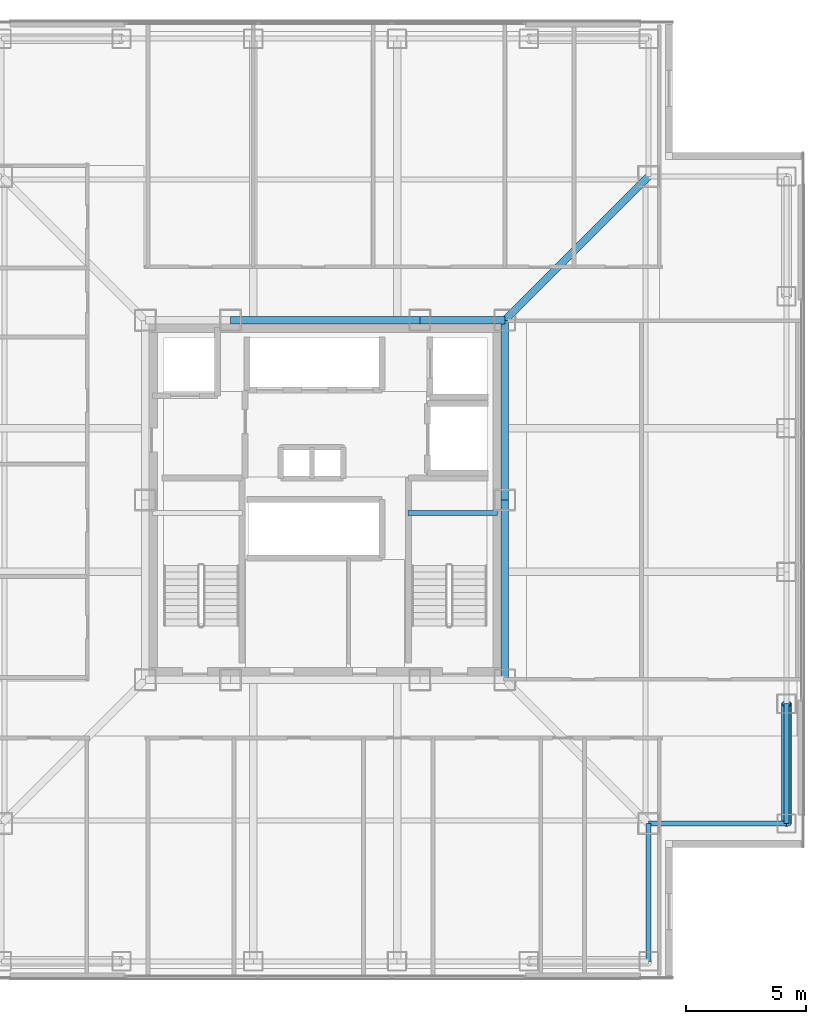
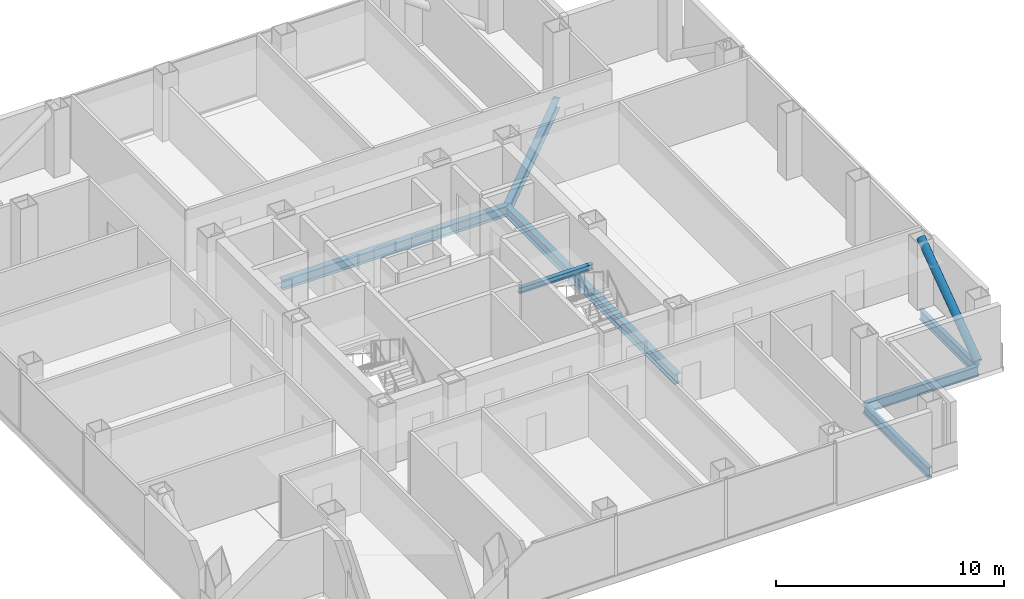
# One storey, part 5 of 17: 9 beams, 1 member.
"""IFC4 building model written with IfcOpenShell, lengths in metres."""

import ifcopenshell
import ifcopenshell.guid

model = None  # the IFC model being written
_history = None  # IfcOwnerHistory: only IFC2X3 demands one
_inside = {}  # id of a spatial element -> (the spatial element, [elements in it])
_under = {}  # id of a project, library or spatial element -> (it, [spatial elements below it])
_declared = {}  # id of a project -> (the project, [libraries it declares])
_typed = {}  # id of a type object -> (the type object, [elements of that type])
_made_of = {}  # id of a material, layer set ... -> (it, [elements and type objects made of it])


def new_model(schema):
    """Start an empty IFC model of exactly this schema.

    Asked for "IFC4X3", IfcOpenShell would pick the latest addendum, in which some entities
    have other attributes; the version numbers below select the first issue.
    IFC2X3 requires an IfcOwnerHistory on every rooted entity: one is made here for all.
    """
    global model, _history
    if schema == "IFC4X3":
        model = ifcopenshell.file(schema_version=(4, 3, 0, 0))
    else:
        model = ifcopenshell.file(schema=schema)
    _inside.clear()
    _under.clear()
    _declared.clear()
    _typed.clear()
    _made_of.clear()
    _history = None
    if model.schema == "IFC2X3":
        org = make("IfcOrganization", Name="unknown")
        user = make(
            "IfcPersonAndOrganization",
            ThePerson=make("IfcPerson", FamilyName="unknown"),
            TheOrganization=org,
        )
        app = make(
            "IfcApplication",
            ApplicationDeveloper=org,
            Version="unknown",
            ApplicationFullName="unknown",
            ApplicationIdentifier="unknown",
        )
        _history = make(
            "IfcOwnerHistory",
            OwningUser=user,
            OwningApplication=app,
            ChangeAction="ADDED",
            CreationDate=0,
        )
    return model


def make(cls, **values):
    """One entity of the class cls with the attributes given. An attribute that is None is left unset."""
    return model.create_entity(
        cls, **{name: value for name, value in values.items() if value is not None}
    )


def rooted(cls, **values):
    """An entity with a GlobalId (a new one), such as an element, a storey or a relation."""
    return make(cls, GlobalId=ifcopenshell.guid.new(), OwnerHistory=_history, **values)


def si_unit(unit_type, name, prefix=None):
    """IfcSIUnit, for example si_unit("LENGTHUNIT", "METRE", prefix="MILLI")."""
    return make("IfcSIUnit", UnitType=unit_type, Prefix=prefix, Name=name)


def assignment(units):
    """IfcUnitAssignment: the units of a project."""
    return None if units is None else make("IfcUnitAssignment", Units=units)


def point(xyz):
    """IfcCartesianPoint."""
    return None if xyz is None else make("IfcCartesianPoint", Coordinates=xyz)


def direction(xyz):
    """IfcDirection."""
    return None if xyz is None else make("IfcDirection", DirectionRatios=xyz)


def frame(location, z_axis=None, x_axis=None):
    """IfcAxis2Placement3D, a coordinate frame: its origin and axes. An axis left out is left unset."""
    return make(
        "IfcAxis2Placement3D",
        Location=point(location),
        Axis=direction(z_axis),
        RefDirection=direction(x_axis),
    )


def frame_2d(location, x_axis=None):
    """IfcAxis2Placement2D, a coordinate frame in the plane: its origin and x axis."""
    return make(
        "IfcAxis2Placement2D", Location=point(location), RefDirection=direction(x_axis)
    )


def origin():
    """The frame at (0, 0, 0) with its axes left unset."""
    return frame((0.0, 0.0, 0.0))


def origin_2d():
    """The frame at (0, 0) in the plane with its x axis left unset."""
    return frame_2d((0.0, 0.0))


def place(relative_to, where):
    """IfcLocalPlacement: puts the frame where relative to a parent placement (None: the world)."""
    return make(
        "IfcLocalPlacement", PlacementRelTo=relative_to, RelativePlacement=where
    )


def context(
    kind, dimensions, precision=None, world=None, true_north=None, identifier=None
):
    """IfcGeometricRepresentationContext, for example the 3D "Model" context."""
    return make(
        "IfcGeometricRepresentationContext",
        ContextIdentifier=identifier,
        ContextType=kind,
        CoordinateSpaceDimension=dimensions,
        Precision=precision,
        WorldCoordinateSystem=world,
        TrueNorth=true_north,
    )


def subcontext(parent, identifier, kind, view, scale=None):
    """IfcGeometricRepresentationSubContext, for example "Body" below "Model"."""
    return make(
        "IfcGeometricRepresentationSubContext",
        ContextIdentifier=identifier,
        ContextType=kind,
        ParentContext=parent,
        TargetScale=scale,
        TargetView=view,
    )


def project(units=None, contexts=None):
    """IfcProject with its units and contexts."""
    return rooted(
        "IfcProject",
        Name="project",
        RepresentationContexts=contexts,
        UnitsInContext=assignment(units),
    )


def spatial(cls, under=None, at=None, **own):
    """A site, building, storey or space (cls), placed at a placement, below another one or the project."""
    s = rooted(cls, ObjectPlacement=at, **own)
    if under is not None:
        _under.setdefault(under.id(), (under, []))[1].append(s)
    return s


def profile(cls, at=None, kind="AREA", **sizes):
    """A parametric profile (cls). Its sizes go by their IFC names, for example OverallWidth=200.0."""
    return make(cls, ProfileType=kind, Position=at, **sizes)


def hollow_circle(**sizes):
    """IfcCircleHollowProfileDef."""
    return profile("IfcCircleHollowProfileDef", **sizes)


def i_section(**sizes):
    """IfcIShapeProfileDef."""
    return profile("IfcIShapeProfileDef", **sizes)


def extrude(swept, where, along, depth):
    """IfcExtrudedAreaSolid: the profile swept, set in the frame where, extruded along a direction by depth."""
    return make(
        "IfcExtrudedAreaSolid",
        SweptArea=swept,
        Position=where,
        ExtrudedDirection=direction(along),
        Depth=depth,
    )


def shape(context_of_items, identifier, shape_type, items):
    """IfcShapeRepresentation: the items that make up one representation, for example the "Body"."""
    return make(
        "IfcShapeRepresentation",
        ContextOfItems=context_of_items,
        RepresentationIdentifier=identifier,
        RepresentationType=shape_type,
        Items=items,
    )


def material(Name=None, Category=None):
    """IfcMaterial."""
    return make("IfcMaterial", Name=Name, Category=Category)


def material_profile(
    of_material, cross_section, Name=None, Category=None, Priority=None
):
    """IfcMaterialProfile: a cross section and its material."""
    return make(
        "IfcMaterialProfile",
        Name=Name,
        Material=of_material,
        Profile=cross_section,
        Priority=Priority,
        Category=Category,
    )


def profile_set(profiles, Name=None, composite=None):
    """IfcMaterialProfileSet."""
    return make(
        "IfcMaterialProfileSet",
        Name=Name,
        MaterialProfiles=profiles,
        CompositeProfile=composite,
    )


def made_of(thing, what):
    """Note that an element or type object is made of a material, layer set ...; save() writes the relation."""
    if what is not None:
        _made_of.setdefault(what.id(), (what, []))[1].append(thing)
    return thing


def type_object(cls, material=None, **own):
    """A type object (cls), such as IfcWallType, which elements share."""
    return made_of(rooted(cls, **own), material)


def element(
    cls,
    number,
    at=None,
    inside=None,
    cuts=None,
    type_object=None,
    material=None,
    context=None,
    identifier="Body",
    shape_type=None,
    held_by="IfcProductDefinitionShape",
    body=None,
    shapes=None,
    **own,
):
    """One element of the class cls, such as IfcWall. Its Tag is "e" and its number.

    at: its placement. inside: the storey or other place that contains it. cuts: it is an
    opening in that element (IfcRelVoidsElement). A single representation is given by context,
    identifier, shape_type and body (its items); several are given by shapes. held_by: the class
    of the entity that holds the representations. save() writes the other relations.
    """
    e = rooted(cls, Tag="e%d" % number, ObjectPlacement=at, **own)
    if body is not None:
        shapes = [shape(context, identifier, shape_type, body)]
    if shapes is not None:
        e.Representation = make(held_by, Representations=shapes)
    if inside is not None:
        _inside.setdefault(inside.id(), (inside, []))[1].append(e)
    if cuts is not None:
        rooted(
            "IfcRelVoidsElement", RelatingBuildingElement=cuts, RelatedOpeningElement=e
        )
    if type_object is not None:
        _typed.setdefault(type_object.id(), (type_object, []))[1].append(e)
    return made_of(e, material)


def aggregate(whole, parts):
    """IfcRelAggregates: a whole, such as a stair, and the parts it consists of."""
    return rooted("IfcRelAggregates", RelatingObject=whole, RelatedObjects=parts)


def save(model, path):
    """Write the relations noted so far, then the file.

    IfcRelAggregates (storeys below a building ...), IfcRelContainedInSpatialStructure (elements
    in a storey), IfcRelDefinesByType, IfcRelAssociatesMaterial and IfcRelDeclares: one each for
    every whole, place, type object, material and project.
    """
    for whole, parts in _under.values():
        aggregate(whole, parts)
    for where, things in _inside.values():
        rooted(
            "IfcRelContainedInSpatialStructure",
            RelatedElements=things,
            RelatingStructure=where,
        )
    for kind, things in _typed.values():
        rooted("IfcRelDefinesByType", RelatedObjects=things, RelatingType=kind)
    for what, things in _made_of.values():
        rooted("IfcRelAssociatesMaterial", RelatedObjects=things, RelatingMaterial=what)
    for by, libraries in _declared.values():
        rooted("IfcRelDeclares", RelatingContext=by, RelatedDefinitions=libraries)
    model.write(path)


model = new_model("IFC4")

# Units and contexts
model_context = context("Model", 3, precision=1e-05, world=origin(), true_north=direction((0.0, 1.0)))
body_context = subcontext(model_context, "Body", "Model", "MODEL_VIEW")
ifc_project = project(units=[si_unit("LENGTHUNIT", "METRE"), si_unit("AREAUNIT", "SQUARE_METRE"), si_unit("VOLUMEUNIT", "CUBIC_METRE"), si_unit("PLANEANGLEUNIT", "RADIAN"), si_unit("MASSUNIT", "GRAM", prefix="KILO")], contexts=[model_context])

# Site, building, storey
site_placement = place(None, origin())
site = spatial("IfcSite", under=ifc_project, at=site_placement, CompositionType="ELEMENT")
building_placement = place(site_placement, origin())
building = spatial("IfcBuilding", under=site, at=building_placement, Name="Trevonay Congress Spire", CompositionType="ELEMENT")
storey_placement = place(building_placement, frame((0.0, 0.0, 169.800048828125)))
storey = spatial("IfcBuildingStorey", under=building, at=storey_placement, Name="L43", CompositionType="ELEMENT", Elevation=169.800048828125)

# Beams
ifc_material_1 = material(Name="Steel ASTM A572 Grade 50", Category="steel")
ifc_material_profile_1 = material_profile(ifc_material_1, i_section(OverallWidth=0.31201171875, OverallDepth=0.54296875, WebThickness=0.0126953125, FlangeThickness=0.020263671875, FilletRadius=0.014892578125, at=origin_2d()), Name="W530x150")
ifc_profile_set_1 = profile_set([ifc_material_profile_1], Name="Steel ASTM A572 Grade 50")
beam_type_1 = type_object("IfcBeamType", Name="BM-GIRD-W530X150", PredefinedType="BEAM", material=ifc_profile_set_1)
beam_1_placement = place(storey_placement, frame((-3.949951171875, 7.5, -0.511474609375), z_axis=(1.0, 0.0, 0.0), x_axis=(0.0, 1.0, 0.0)))
element("IfcBeam", 1, at=beam_1_placement, inside=storey, type_object=beam_type_1, Name="L43 structural beam BM-L43-CR-N2", PredefinedType="BEAM", context=body_context, shape_type="SweptSolid", body=[
    extrude(i_section(OverallWidth=0.31201171875, OverallDepth=0.54296875, WebThickness=0.0126953125, FlangeThickness=0.020263671875, FilletRadius=0.014892578125, at=origin_2d()), origin(), (0.0, 0.0, 1.0), 7.89990234375),
])
beam_2_placement = place(storey_placement, frame((3.949951171875, 7.5, -0.511474609375), z_axis=(1.0, 0.0, 0.0), x_axis=(0.0, 1.0, 0.0)))
element("IfcBeam", 2, at=beam_2_placement, inside=storey, type_object=beam_type_1, Name="L43 structural beam BM-L43-CR-N3", PredefinedType="BEAM", context=body_context, shape_type="SweptSolid", body=[
    extrude(i_section(OverallWidth=0.31201171875, OverallDepth=0.54296875, WebThickness=0.0126953125, FlangeThickness=0.020263671875, FilletRadius=0.014892578125, at=origin_2d()), origin(), (0.0, 0.0, 1.0), 3.550048828125),
])
for number, where, z_axis, x_axis, name in (
    (3, (7.5, -7.5, -0.511474609375), (0.0, 1.0, 0.0), (-1.0, 0.0, 0.0), "L43 structural beam BM-L43-CR-E1"),
    (4, (7.5, 0.0, -0.511474609375), (0.0, 1.0, 0.0), (-1.0, 0.0, 0.0), "L43 structural beam BM-L43-CR-E2"),
):
    element("IfcBeam", number, at=place(storey_placement, frame(where, z_axis=z_axis, x_axis=x_axis)), inside=storey, type_object=beam_type_1, Name=name, PredefinedType="BEAM", context=body_context, shape_type="SweptSolid", body=[
        extrude(i_section(OverallWidth=0.31201171875, OverallDepth=0.54296875, WebThickness=0.0126953125, FlangeThickness=0.020263671875, FilletRadius=0.014892578125, at=origin_2d()), origin(), (0.0, 0.0, 1.0), 7.5),
    ])
beam_3_placement = place(storey_placement, frame((7.5, 7.5, -0.511474609375), z_axis=(0.707106781187, 0.707106781187, 0.0), x_axis=(-0.707106781187, 0.707106781187, 0.0)))
element("IfcBeam", 5, at=beam_3_placement, inside=storey, type_object=beam_type_1, Name="L43 structural beam BM-L43-CDNE", PredefinedType="BEAM", context=body_context, shape_type="SweptSolid", body=[
    extrude(i_section(OverallWidth=0.31201171875, OverallDepth=0.54296875, WebThickness=0.0126953125, FlangeThickness=0.020263671875, FilletRadius=0.014892578125, at=origin_2d()), origin(), (0.0, 0.0, 1.0), 8.4853515625),
])
ifc_material_profile_2 = material_profile(ifc_material_1, i_section(OverallWidth=0.2119140625, OverallDepth=0.5439453125, WebThickness=0.01318359375, FlangeThickness=0.021240234375, FilletRadius=0.014892578125, at=origin_2d()), Name="W530x123")
ifc_profile_set_2 = profile_set([ifc_material_profile_2], Name="Steel ASTM A572 Grade 50")
beam_type_2 = type_object("IfcBeamType", Name="BM-RING-W530X123", PredefinedType="BEAM", material=ifc_profile_set_2)
beam_4_placement = place(storey_placement, frame((19.25, -13.5, -0.511962890625), z_axis=(0.0, 1.0, 0.0), x_axis=(-1.0, 0.0, 0.0)))
element("IfcBeam", 6, at=beam_4_placement, inside=storey, type_object=beam_type_2, Name="L43 structural beam BM-L43-PE1", PredefinedType="BEAM", context=body_context, shape_type="SweptSolid", body=[
    extrude(i_section(OverallWidth=0.2119140625, OverallDepth=0.5439453125, WebThickness=0.01318359375, FlangeThickness=0.021240234375, FilletRadius=0.014892578125, at=origin_2d()), origin(), (0.0, 0.0, 1.0), 5.0),
])
for number, where, z_axis, x_axis, name in (
    (7, (13.5, -19.25, -0.511962890625), (0.0, 1.0, 0.0), (-1.0, 0.0, 0.0), "L43 structural beam BM-L43-N1SE"),
    (8, (19.25, -13.5, -0.511962890625), (-1.0, 0.0, 0.0), (0.0, -1.0, 0.0), "L43 structural beam BM-L43-N2SE"),
):
    element("IfcBeam", number, at=place(storey_placement, frame(where, z_axis=z_axis, x_axis=x_axis)), inside=storey, type_object=beam_type_2, Name=name, PredefinedType="BEAM", context=body_context, shape_type="SweptSolid", body=[
        extrude(i_section(OverallWidth=0.2119140625, OverallDepth=0.5439453125, WebThickness=0.01318359375, FlangeThickness=0.021240234375, FilletRadius=0.014892578125, at=origin_2d()), origin(), (0.0, 0.0, 1.0), 5.75),
    ])
ifc_material_profile_3 = material_profile(ifc_material_1, i_section(OverallWidth=0.2041015625, OverallDepth=0.305908203125, WebThickness=0.008544921875, FlangeThickness=0.0146484375, FilletRadius=0.010986328125, at=origin_2d()), Name="W310x67")
ifc_profile_set_3 = profile_set([ifc_material_profile_3], Name="Steel ASTM A572 Grade 50")
beam_type_3 = type_object("IfcBeamType", Name="LN-CORE-W310X67", PredefinedType="LINTEL", material=ifc_profile_set_3)
beam_5_placement = place(storey_placement, frame((3.449951171875, -0.550048828125, 1.447021484375), z_axis=(1.0, 0.0, 0.0), x_axis=(0.0, 1.0, 0.0)))
element("IfcBeam", 9, at=beam_5_placement, inside=storey, type_object=beam_type_3, Name="L43 structural beam BM-L43-HL-ST2", PredefinedType="LINTEL", context=body_context, shape_type="SweptSolid", body=[
    extrude(i_section(OverallWidth=0.2041015625, OverallDepth=0.305908203125, WebThickness=0.008544921875, FlangeThickness=0.0146484375, FilletRadius=0.010986328125, at=origin_2d()), origin(), (0.0, 0.0, 1.0), 3.75),
])

# Member
ifc_material_2 = material(Name="Steel ASTM A500 Grade C", Category="steel")
ifc_material_profile_4 = material_profile(ifc_material_2, hollow_circle(Radius=0.203125, WallThickness=0.02001953125, at=origin_2d()), Name="CHS 406.4x20")
ifc_profile_set_4 = profile_set([ifc_material_profile_4], Name="Steel ASTM A500 Grade C")
member_type = type_object("IfcMemberType", Name="MBR-TUBE-CHS406", PredefinedType="BRACE", material=ifc_profile_set_4)
member_placement = place(storey_placement, frame((19.25, -13.5, -0.050048828125), z_axis=(0.0, 0.811526825515, 0.584315164504), x_axis=(-1.0, 0.0, 0.0)))
element("IfcMember", 10, at=member_placement, inside=storey, type_object=member_type, Name="L43 perimeter braced-tube diagonal E0", PredefinedType="BRACE", context=body_context, shape_type="SweptSolid", body=[
    extrude(hollow_circle(Radius=0.203125, WallThickness=0.02001953125, at=origin_2d()), origin(), (0.0, 0.0, 1.0), 6.1611328125),
])

save(model, "model.ifc")
